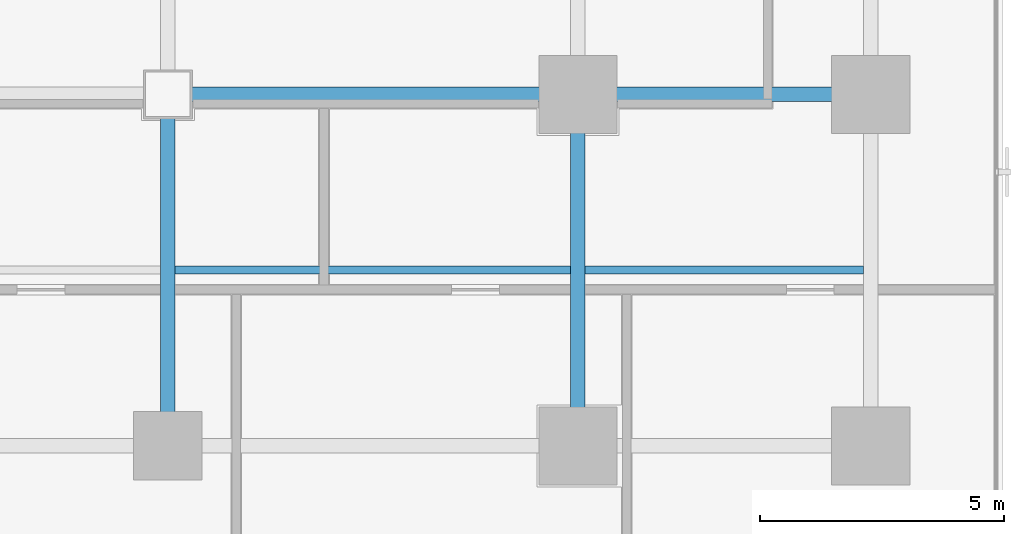
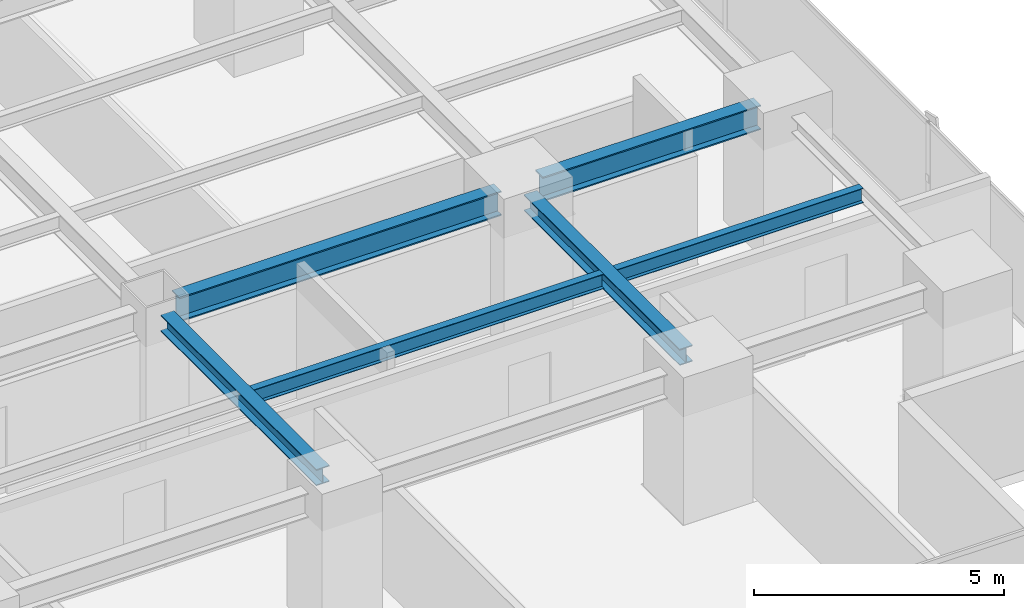
# One storey, part 13 of 36: 6 beams.
"""IFC4 building model written with IfcOpenShell, lengths in metres."""

from ifc_helpers import new_model, si_unit, direction, frame, origin, origin_2d, place, context, subcontext, project, spatial, i_section, extrude, source, transform, mapped, material, material_profile, profile_set, type_object, element, save


model = new_model("IFC4")

# Units and contexts
model_context = context("Model", 3, precision=1e-05, world=origin(), true_north=direction((0.0, 1.0)))
body_context = subcontext(model_context, "Body", "Model", "MODEL_VIEW")
ifc_project = project(units=[si_unit("LENGTHUNIT", "METRE"), si_unit("AREAUNIT", "SQUARE_METRE"), si_unit("VOLUMEUNIT", "CUBIC_METRE"), si_unit("PLANEANGLEUNIT", "RADIAN"), si_unit("MASSUNIT", "GRAM", prefix="KILO")], contexts=[model_context])

# Site, building, storey
site_placement = place(None, origin())
site = spatial("IfcSite", under=ifc_project, at=site_placement, CompositionType="ELEMENT")
building_placement = place(site_placement, origin())
building = spatial("IfcBuilding", under=site, at=building_placement, Name="Sumidabori Civic Tower", CompositionType="ELEMENT")
storey_placement = place(building_placement, frame((0.0, 0.0, 120.800048828125)))
storey = spatial("IfcBuildingStorey", under=building, at=storey_placement, Name="L31", CompositionType="ELEMENT", Elevation=120.800048828125)

# Beams
ifc_material = material(Name="Steel SN490", Category="steel")
ifc_material_profile_1 = material_profile(ifc_material, i_section(OverallWidth=0.300048828125, OverallDepth=0.60009765625, WebThickness=0.015380859375, FlangeThickness=0.030029296875, at=origin_2d()), Name="HE 600 B")
ifc_profile_set_1 = profile_set([ifc_material_profile_1], Name="Steel SN490")
beam_type_1 = type_object("IfcBeamType", Name="BM-GIRD-600", PredefinedType="BEAM", material=ifc_profile_set_1)
shared_shape_1 = source(origin(), body_context, "Body", "SweptSolid", [
    extrude(i_section(OverallWidth=0.300048828125, OverallDepth=0.60009765625, WebThickness=0.015380859375, FlangeThickness=0.030029296875, at=origin_2d()), origin(), (0.0, 0.0, 1.0), 5.0400390625),
])
beam_1_placement = place(storey_placement, frame((17.280029296875, -10.800048828125, 3.0), z_axis=(1.0, 0.0, 0.0), x_axis=(0.0, 1.0, 0.0)))
element("IfcBeam", 1, at=beam_1_placement, inside=storey, type_object=beam_type_1, Name="Primary Girder L31 GX-12", PredefinedType="BEAM", context=body_context, shape_type="MappedRepresentation", body=[
    mapped(shared_shape_1, transform((0.0, 0.0, 0.0), x_axis=(1.0, 0.0, 0.0), y_axis=(0.0, 1.0, 0.0), z_axis=(0.0, 0.0, 1.0), scale=1.0)),
])
shared_shape_2 = source(origin(), body_context, "Body", "SweptSolid", [
    extrude(i_section(OverallWidth=0.300048828125, OverallDepth=0.60009765625, WebThickness=0.015380859375, FlangeThickness=0.030029296875, at=origin_2d()), origin(), (0.0, 0.0, 1.0), 7.440185546875),
])
beam_2_placement = place(storey_placement, frame((8.8798828125, -10.800048828125, 3.0), z_axis=(1.0, 0.0, 0.0), x_axis=(0.0, 1.0, 0.0)))
element("IfcBeam", 2, at=beam_2_placement, inside=storey, type_object=beam_type_1, Name="Primary Girder L31 GX-11", PredefinedType="BEAM", context=body_context, shape_type="MappedRepresentation", body=[
    mapped(shared_shape_2, transform((0.0, 0.0, 0.0), x_axis=(1.0, 0.0, 0.0), y_axis=(0.0, 1.0, 0.0), z_axis=(0.0, 0.0, 1.0), scale=1.0)),
])
ifc_material_profile_2 = material_profile(ifc_material, i_section(OverallWidth=0.300048828125, OverallDepth=0.39990234375, WebThickness=0.013427734375, FlangeThickness=0.02392578125, at=origin_2d()), Name="HE 400 B")
ifc_profile_set_2 = profile_set([ifc_material_profile_2], Name="Steel SN490")
beam_type_2 = type_object("IfcBeamType", Name="BM-GIRD-400", PredefinedType="BEAM", material=ifc_profile_set_2)
shared_shape_3 = source(origin(), body_context, "Body", "SweptSolid", [
    extrude(i_section(OverallWidth=0.300048828125, OverallDepth=0.39990234375, WebThickness=0.013427734375, FlangeThickness=0.02392578125, at=origin_2d()), origin(), (0.0, 0.0, 1.0), 6.239990234375),
])
for number, where, z_axis, x_axis, name in (
    (3, (8.39990234375, -17.52001953125, 3.099853515625), (0.0, 1.0, 0.0), (-1.0, 0.0, 0.0), "Primary Girder L31 GY-33"),
    (4, (16.800048828125, -17.52001953125, 3.099853515625), (0.0, 1.0, 0.0), (-1.0, 0.0, 0.0), "Primary Girder L31 GY-35"),
):
    element("IfcBeam", number, at=place(storey_placement, frame(where, z_axis=z_axis, x_axis=x_axis)), inside=storey, type_object=beam_type_2, Name=name, PredefinedType="BEAM", context=body_context, shape_type="MappedRepresentation", body=[
        mapped(shared_shape_3, transform((0.0, 0.0, 0.0), x_axis=(1.0, 0.0, 0.0), y_axis=(0.0, 1.0, 0.0), z_axis=(0.0, 0.0, 1.0), scale=1.0)),
    ])
ifc_material_profile_3 = material_profile(ifc_material, i_section(OverallWidth=0.169921875, OverallDepth=0.360107421875, WebThickness=0.008056640625, FlangeThickness=0.0126953125, at=origin_2d()), Name="IPE 360")
ifc_profile_set_3 = profile_set([ifc_material_profile_3], Name="Steel SN490")
beam_type_3 = type_object("IfcBeamType", Name="BM-JST-360", PredefinedType="JOIST", material=ifc_profile_set_3)
shared_shape_4 = source(origin(), body_context, "Body", "SweptSolid", [
    extrude(i_section(OverallWidth=0.169921875, OverallDepth=0.360107421875, WebThickness=0.008056640625, FlangeThickness=0.0126953125, at=origin_2d()), origin(), (0.0, 0.0, 1.0), 5.699951171875),
])
beam_3_placement = place(storey_placement, frame((16.949951171875, -14.39990234375, 3.119873046875), z_axis=(1.0, 0.0, 0.0), x_axis=(0.0, 1.0, 0.0)))
element("IfcBeam", 5, at=beam_3_placement, inside=storey, type_object=beam_type_3, Name="Outer Bay Floor Joist L31 JSTO-52", PredefinedType="JOIST", context=body_context, shape_type="MappedRepresentation", body=[
    mapped(shared_shape_4, transform((0.0, 0.0, 0.0), x_axis=(1.0, 0.0, 0.0), y_axis=(0.0, 1.0, 0.0), z_axis=(0.0, 0.0, 1.0), scale=1.0)),
])
shared_shape_5 = source(origin(), body_context, "Body", "SweptSolid", [
    extrude(i_section(OverallWidth=0.169921875, OverallDepth=0.360107421875, WebThickness=0.008056640625, FlangeThickness=0.0126953125, at=origin_2d()), origin(), (0.0, 0.0, 1.0), 8.099853515625),
])
beam_4_placement = place(storey_placement, frame((8.550048828125, -14.39990234375, 3.119873046875), z_axis=(1.0, 0.0, 0.0), x_axis=(0.0, 1.0, 0.0)))
element("IfcBeam", 6, at=beam_4_placement, inside=storey, type_object=beam_type_3, Name="South Bay Floor Joist L31 JSTS-58", PredefinedType="JOIST", context=body_context, shape_type="MappedRepresentation", body=[
    mapped(shared_shape_5, transform((0.0, 0.0, 0.0), x_axis=(1.0, 0.0, 0.0), y_axis=(0.0, 1.0, 0.0), z_axis=(0.0, 0.0, 1.0), scale=1.0)),
])

save(model, "model.ifc")
